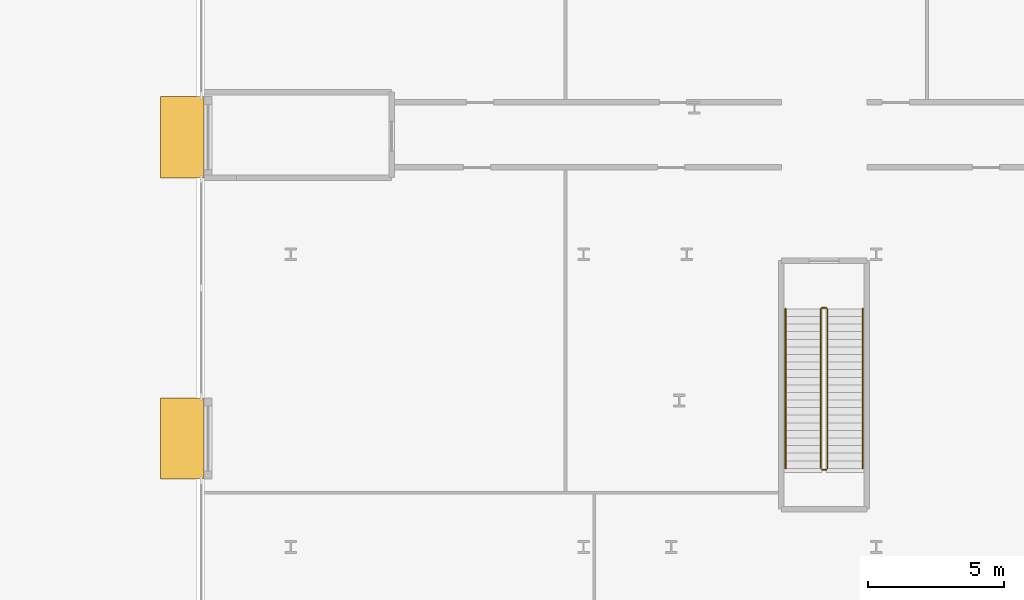
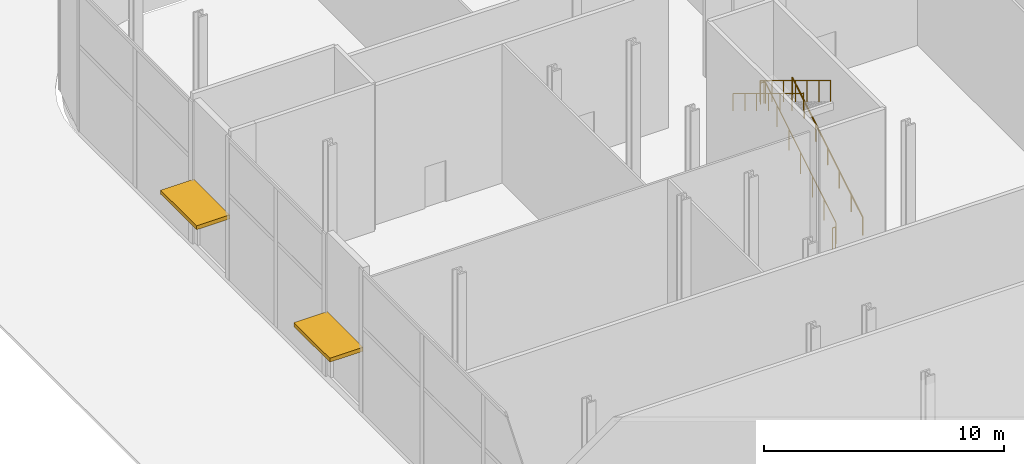
# One storey, part 41 of 46: 4 railings, 2 shading devices.
"""IFC4 building model written with IfcOpenShell, lengths in metres."""

from ifc_helpers import new_model, si_unit, direction, frame, origin, origin_2d, place, context, subcontext, project, spatial, rectangle, circle, extrude, material, layer, layer_set, type_object, element, save


model = new_model("IFC4")

# Units and contexts
model_context = context("Model", 3, precision=1e-05, world=origin(), true_north=direction((0.0, 1.0)))
body_context = subcontext(model_context, "Body", "Model", "MODEL_VIEW")
ifc_project = project(units=[si_unit("LENGTHUNIT", "METRE"), si_unit("AREAUNIT", "SQUARE_METRE"), si_unit("VOLUMEUNIT", "CUBIC_METRE"), si_unit("PLANEANGLEUNIT", "RADIAN"), si_unit("MASSUNIT", "GRAM", prefix="KILO")], contexts=[model_context])

# Site, building, storey
site_placement = place(None, origin())
site = spatial("IfcSite", under=ifc_project, at=site_placement, CompositionType="ELEMENT")
building_placement = place(site_placement, origin())
building = spatial("IfcBuilding", under=site, at=building_placement, Name="Kheshtan School and Residences Tower", CompositionType="ELEMENT")
storey_placement = place(building_placement, origin())
storey = spatial("IfcBuildingStorey", under=building, at=storey_placement, Name="L00", CompositionType="ELEMENT", Elevation=0.0)

# Shading devices
ifc_material_1 = material(Name="Zinc standing seam on insulated deck")
ifc_layer = layer(ifc_material_1, 0.10009765625)
ifc_layer_set = layer_set([ifc_layer], Name="Canopy awning")
shading_device_type = type_object("IfcShadingDeviceType", Name="Canopy awning", PredefinedType="AWNING", material=ifc_layer_set)
for number, where, z_axis, x_axis, name in (
    (1, (11.199951171875, 82.0, 3.0), (0.0, 0.0, 1.0), (0.0, 1.0, 0.0), "Entrance canopy 16.3"),
    (2, (11.199951171875, 93.114990234375, 3.0), (0.0, 0.0, 1.0), (0.0, 1.0, 0.0), "Entrance canopy 16.5"),
):
    element("IfcShadingDevice", number, at=place(storey_placement, frame(where, z_axis=z_axis, x_axis=x_axis)), inside=storey, type_object=shading_device_type, Name=name, PredefinedType="AWNING", context=body_context, shape_type="SweptSolid", body=[
        extrude(rectangle(XDim=3.0, YDim=1.60009765625, at=origin_2d()), origin(), (0.0, 0.0, 1.0), 0.199951171875),
    ])

# Railings
ifc_material_2 = material(Name="Stainless steel balustrade", Category="steel")
railing_type_1 = type_object("IfcRailingType", Name="Stair guard 1100", PredefinedType="GUARDRAIL", material=ifc_material_2)
railing_1_placement = place(storey_placement, frame((35.0, 80.89990234375, 0.17041015625)))
element("IfcRailing", 3, at=railing_1_placement, inside=storey, type_object=railing_type_1, Name="L00 ST3 stair guard 1", PredefinedType="GUARDRAIL", context=body_context, shape_type="SweptSolid", body=[
    extrude(circle(Radius=0.02392578125, at=origin_2d()), frame((0.0, 0.0, 1.076171875), z_axis=(0.0, 0.854173900383, 0.519987449757), x_axis=(-1.0, 0.0, 0.0)), (0.0, 0.0, 1.0), 6.884033203125),
    extrude(circle(Radius=0.02392578125, at=origin_2d()), frame((0.0, 5.880126953125, 4.65576171875), z_axis=(-0.707106781187, 0.707106781187, 0.0), x_axis=(-0.707106781187, -0.707106781187, 0.0)), (0.0, 0.0, 1.0), 0.07080078125),
    extrude(circle(Radius=0.02392578125, at=origin_2d()), frame((-0.050048828125, 5.93017578125, 4.65576171875), z_axis=(-1.0, 0.0, 0.0), x_axis=(0.0, -1.0, 0.0)), (0.0, 0.0, 1.0), 0.14990234375),
    extrude(circle(Radius=0.02392578125, at=origin_2d()), frame((-0.199951171875, 5.93017578125, 4.65576171875), z_axis=(-0.271230943075, -0.271230943075, 0.923508284228), x_axis=(0.707106781187, -0.707106781187, 0.0)), (0.0, 0.0, 1.0), 0.1845703125),
    extrude(circle(Radius=0.02392578125, at=origin_2d()), frame((-0.25, 5.880126953125, 4.826171875), z_axis=(0.0, -0.854173900383, 0.519987449757), x_axis=(1.0, 0.0, 0.0)), (0.0, 0.0, 1.0), 6.884033203125),
    extrude(circle(Radius=0.02099609375, at=origin_2d()), origin(), (0.0, 0.0, 1.0), 1.052001953125),
    extrude(circle(Radius=0.02099609375, at=origin_2d()), frame((0.0, 0.97998046875, 0.5966796875)), (0.0, 0.0, 1.0), 1.052001953125),
    extrude(circle(Radius=0.02099609375, at=origin_2d()), frame((0.0, 1.9599609375, 1.193115234375)), (0.0, 0.0, 1.0), 1.052001953125),
    extrude(circle(Radius=0.02099609375, at=origin_2d()), frame((0.0, 2.93994140625, 1.789794921875)), (0.0, 0.0, 1.0), 1.052001953125),
    extrude(circle(Radius=0.02099609375, at=origin_2d()), frame((0.0, 3.920166015625, 2.386474609375)), (0.0, 0.0, 1.0), 1.052001953125),
    extrude(circle(Radius=0.02099609375, at=origin_2d()), frame((0.0, 4.900146484375, 2.98291015625)), (0.0, 0.0, 1.0), 1.052001953125),
    extrude(circle(Radius=0.02099609375, at=origin_2d()), frame((0.0, 5.880126953125, 3.57958984375)), (0.0, 0.0, 1.0), 1.052001953125),
    extrude(circle(Radius=0.02099609375, at=origin_2d()), frame((-0.050048828125, 5.93017578125, 3.57958984375)), (0.0, 0.0, 1.0), 1.052001953125),
    extrude(circle(Radius=0.02099609375, at=origin_2d()), frame((-0.199951171875, 5.93017578125, 3.57958984375)), (0.0, 0.0, 1.0), 1.052001953125),
    extrude(circle(Radius=0.02099609375, at=origin_2d()), frame((-0.25, 5.880126953125, 3.75)), (0.0, 0.0, 1.0), 1.052001953125),
    extrude(circle(Radius=0.02099609375, at=origin_2d()), frame((-0.25, 4.900146484375, 4.3466796875)), (0.0, 0.0, 1.0), 1.052001953125),
    extrude(circle(Radius=0.02099609375, at=origin_2d()), frame((-0.25, 3.920166015625, 4.943115234375)), (0.0, 0.0, 1.0), 1.052001953125),
    extrude(circle(Radius=0.02099609375, at=origin_2d()), frame((-0.25, 2.93994140625, 5.539794921875)), (0.0, 0.0, 1.0), 1.052001953125),
    extrude(circle(Radius=0.02099609375, at=origin_2d()), frame((-0.25, 1.9599609375, 6.136474609375)), (0.0, 0.0, 1.0), 1.052001953125),
    extrude(circle(Radius=0.02099609375, at=origin_2d()), frame((-0.25, 0.97998046875, 6.73291015625)), (0.0, 0.0, 1.0), 1.052001953125),
    extrude(circle(Radius=0.02099609375, at=origin_2d()), frame((-0.25, 0.0, 7.32958984375)), (0.0, 0.0, 1.0), 1.052001953125),
])
railing_2_placement = place(storey_placement, frame((34.949951171875, 80.85009765625, 0.0)))
element("IfcRailing", 4, at=railing_2_placement, inside=storey, type_object=railing_type_1, Name="L00 ST3 stair guard 2", PredefinedType="GUARDRAIL", context=body_context, shape_type="SweptSolid", body=[
    extrude(circle(Radius=0.02392578125, at=origin_2d()), frame((0.0, 0.0, 1.076171875), z_axis=(-1.0, 0.0, 0.0), x_axis=(0.0, -1.0, 0.0)), (0.0, 0.0, 1.0), 0.14990234375),
    extrude(circle(Radius=0.02099609375, at=origin_2d()), origin(), (0.0, 0.0, 1.0), 1.052001953125),
    extrude(circle(Radius=0.02099609375, at=origin_2d()), frame((-0.14990234375, 0.0, 0.0)), (0.0, 0.0, 1.0), 1.052001953125),
])
ifc_material_3 = material(Name="Stainless steel handrail", Category="steel")
railing_type_2 = type_object("IfcRailingType", Name="Stair handrail 900", PredefinedType="HANDRAIL", material=ifc_material_3)
railing_3_placement = place(storey_placement, frame((36.300048828125, 80.89990234375, 0.17041015625)))
element("IfcRailing", 5, at=railing_3_placement, inside=storey, type_object=railing_type_2, Name="L00 ST3 stair handrail 1", PredefinedType="HANDRAIL", context=body_context, shape_type="SweptSolid", body=[
    extrude(circle(Radius=0.02392578125, at=origin_2d()), frame((0.0, 0.0, 0.8759765625), z_axis=(0.0, 0.854173900383, 0.519987449757), x_axis=(-1.0, 0.0, 0.0)), (0.0, 0.0, 1.0), 6.884033203125),
    extrude(circle(Radius=0.02099609375, at=origin_2d()), origin(), (0.0, 0.0, 1.0), 0.851806640625),
    extrude(circle(Radius=0.02099609375, at=origin_2d()), frame((0.0, 0.97998046875, 0.5966796875)), (0.0, 0.0, 1.0), 0.851806640625),
    extrude(circle(Radius=0.02099609375, at=origin_2d()), frame((0.0, 1.9599609375, 1.193115234375)), (0.0, 0.0, 1.0), 0.851806640625),
    extrude(circle(Radius=0.02099609375, at=origin_2d()), frame((0.0, 2.93994140625, 1.789794921875)), (0.0, 0.0, 1.0), 0.851806640625),
    extrude(circle(Radius=0.02099609375, at=origin_2d()), frame((0.0, 3.920166015625, 2.386474609375)), (0.0, 0.0, 1.0), 0.851806640625),
    extrude(circle(Radius=0.02099609375, at=origin_2d()), frame((0.0, 4.900146484375, 2.98291015625)), (0.0, 0.0, 1.0), 0.851806640625),
    extrude(circle(Radius=0.02099609375, at=origin_2d()), frame((0.0, 5.880126953125, 3.57958984375)), (0.0, 0.0, 1.0), 0.851806640625),
])
railing_4_placement = place(storey_placement, frame((33.449951171875, 86.780029296875, 3.92041015625)))
element("IfcRailing", 6, at=railing_4_placement, inside=storey, type_object=railing_type_2, Name="L00 ST3 stair handrail 2", PredefinedType="HANDRAIL", context=body_context, shape_type="SweptSolid", body=[
    extrude(circle(Radius=0.02392578125, at=origin_2d()), frame((0.0, 0.0, 0.8759765625), z_axis=(0.0, -0.854173900383, 0.519987449757), x_axis=(1.0, 0.0, 0.0)), (0.0, 0.0, 1.0), 6.884033203125),
    extrude(circle(Radius=0.02099609375, at=origin_2d()), origin(), (0.0, 0.0, 1.0), 0.851806640625),
    extrude(circle(Radius=0.02099609375, at=origin_2d()), frame((0.0, -0.97998046875, 0.5966796875)), (0.0, 0.0, 1.0), 0.851806640625),
    extrude(circle(Radius=0.02099609375, at=origin_2d()), frame((0.0, -1.9599609375, 1.193115234375)), (0.0, 0.0, 1.0), 0.851806640625),
    extrude(circle(Radius=0.02099609375, at=origin_2d()), frame((0.0, -2.93994140625, 1.789794921875)), (0.0, 0.0, 1.0), 0.851806640625),
    extrude(circle(Radius=0.02099609375, at=origin_2d()), frame((0.0, -3.920166015625, 2.386474609375)), (0.0, 0.0, 1.0), 0.851806640625),
    extrude(circle(Radius=0.02099609375, at=origin_2d()), frame((0.0, -4.900146484375, 2.98291015625)), (0.0, 0.0, 1.0), 0.851806640625),
    extrude(circle(Radius=0.02099609375, at=origin_2d()), frame((0.0, -5.880126953125, 3.57958984375)), (0.0, 0.0, 1.0), 0.851806640625),
])

save(model, "model.ifc")
